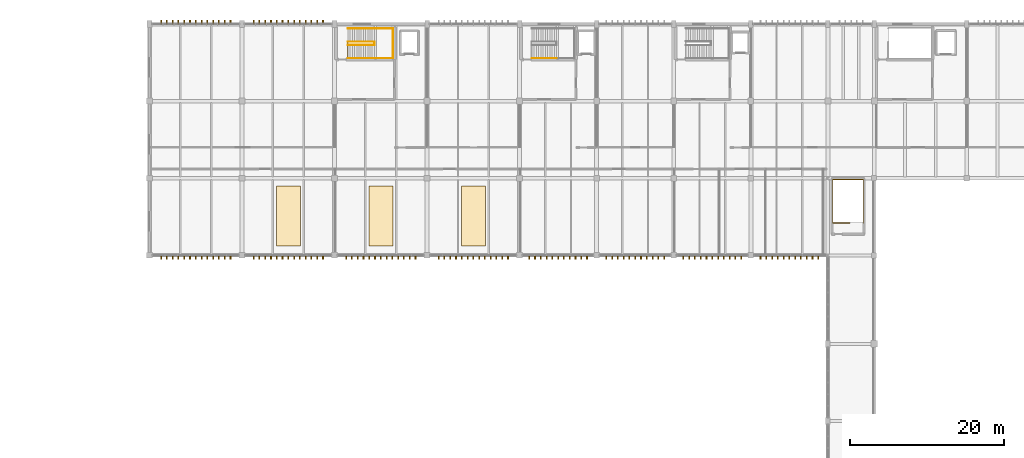
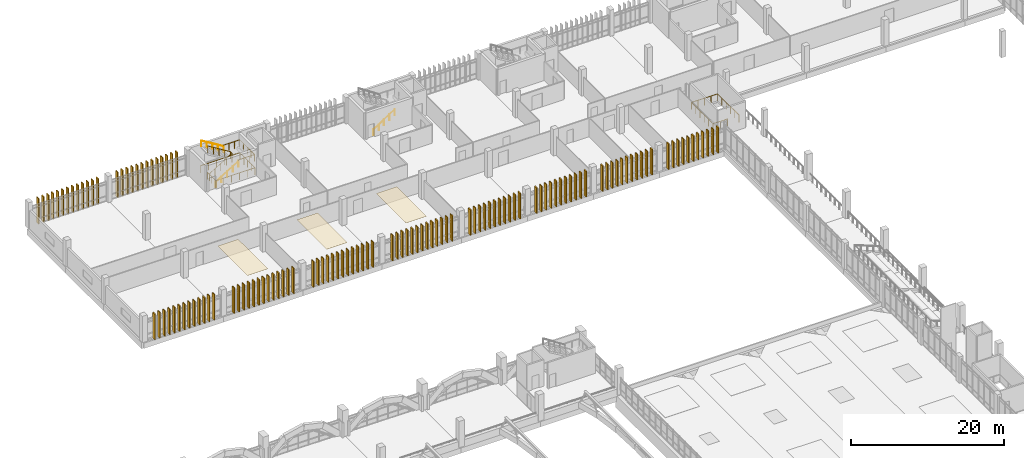
# One storey, part 158 of 161: 122 shading devices, 7 railings, 3 coverings.
"""IFC4 building model written with IfcOpenShell, lengths in metres."""

from ifc_helpers import new_model, si_unit, direction, frame, origin, origin_2d, place, context, subcontext, project, spatial, polyline, rectangle, circle, outline, extrude, material, layer, layer_set, type_object, element, save


model = new_model("IFC4")

# Units and contexts
model_context = context("Model", 3, precision=1e-05, world=origin(), true_north=direction((0.0, 1.0)))
body_context = subcontext(model_context, "Body", "Model", "MODEL_VIEW")
ifc_project = project(units=[si_unit("LENGTHUNIT", "METRE"), si_unit("AREAUNIT", "SQUARE_METRE"), si_unit("VOLUMEUNIT", "CUBIC_METRE"), si_unit("PLANEANGLEUNIT", "RADIAN"), si_unit("MASSUNIT", "GRAM", prefix="KILO")], contexts=[model_context])

# Site, building, storey
site_placement = place(None, origin())
site = spatial("IfcSite", under=ifc_project, at=site_placement, CompositionType="ELEMENT")
building_placement = place(site_placement, origin())
building = spatial("IfcBuilding", under=site, at=building_placement, Name="Mersad Railyard Sports Hall", CompositionType="ELEMENT")
storey_placement = place(building_placement, frame((0.0, 0.0, 4.800048828125)))
storey = spatial("IfcBuildingStorey", under=building, at=storey_placement, Name="L01", CompositionType="ELEMENT", Elevation=4.800048828125)

# Coverings
ifc_material_1 = material(Name="Gypsum plasterboard", Category="gypsum")
ifc_layer = layer(ifc_material_1, 0.02490234375)
ifc_layer_set = layer_set([ifc_layer], Name="Gypsum plasterboard")
covering_type = type_object("IfcCoveringType", Name="ARC-CV-CL01", PredefinedType="CEILING", material=ifc_layer_set)
covering_1_placement = place(storey_placement, frame((0.0, 0.0, 3.875)))
element("IfcCovering", 1, at=covering_1_placement, inside=storey, type_object=covering_type, Name="Acoustic ceiling panel 004", PredefinedType="CEILING", context=body_context, shape_type="SweptSolid", body=[
    extrude(outline(polyline([(59.449951171875, 86.199951171875), (62.550048828125, 86.199951171875), (62.550048828125, 94.0), (59.449951171875, 94.0), (59.449951171875, 86.199951171875)])), origin(), (0.0, 0.0, 1.0), 0.02490234375),
])
covering_2_placement = place(storey_placement, frame((0.0, 0.0, 3.875)))
element("IfcCovering", 2, at=covering_2_placement, inside=storey, type_object=covering_type, Name="Acoustic ceiling panel 005", PredefinedType="CEILING", context=body_context, shape_type="SweptSolid", body=[
    extrude(outline(polyline([(71.449951171875, 86.199951171875), (74.550048828125, 86.199951171875), (74.550048828125, 94.0), (71.449951171875, 94.0), (71.449951171875, 86.199951171875)])), origin(), (0.0, 0.0, 1.0), 0.02490234375),
])
covering_3_placement = place(storey_placement, frame((0.0, 0.0, 3.875)))
element("IfcCovering", 3, at=covering_3_placement, inside=storey, type_object=covering_type, Name="Acoustic ceiling panel 006", PredefinedType="CEILING", context=body_context, shape_type="SweptSolid", body=[
    extrude(outline(polyline([(83.449951171875, 86.199951171875), (86.550048828125, 86.199951171875), (86.550048828125, 94.0), (83.449951171875, 94.0), (83.449951171875, 86.199951171875)])), origin(), (0.0, 0.0, 1.0), 0.02490234375),
])

# Railings
ifc_material_2 = material(Name="Steel S355", Category="steel")
railing_type_1 = type_object("IfcRailingType", Name="ARC-RL-GR01", PredefinedType="GUARDRAIL", material=ifc_material_2)
railing_1_placement = place(storey_placement, frame((68.7099609375, 112.68994140625, 0.0)))
element("IfcRailing", 4, at=railing_1_placement, inside=storey, type_object=railing_type_1, Name="Interior guard GR01-0010", PredefinedType="GUARDRAIL", context=body_context, shape_type="SweptSolid", body=[
    extrude(circle(Radius=0.02392578125, at=origin_2d()), frame((0.0, 0.0, 1.09619140625), z_axis=(0.0, -1.0, 0.0), x_axis=(1.0, 0.0, 0.0)), (0.0, 0.0, 1.0), 2.169921875),
    extrude(circle(Radius=0.02392578125, at=origin_2d()), frame((0.0, -2.169921875, 1.09619140625), z_axis=(1.0, 0.0, 0.0), x_axis=(0.0, 1.0, 0.0)), (0.0, 0.0, 1.0), 5.919921875),
    extrude(circle(Radius=0.02392578125, at=origin_2d()), frame((5.919921875, -2.169921875, 1.09619140625), z_axis=(0.0, 1.0, 0.0), x_axis=(-1.0, 0.0, 0.0)), (0.0, 0.0, 1.0), 3.9599609375),
    extrude(circle(Radius=0.02392578125, at=origin_2d()), frame((5.919921875, 1.7900390625, 1.09619140625), z_axis=(-1.0, 0.0, 0.0), x_axis=(0.0, -1.0, 0.0)), (0.0, 0.0, 1.0), 5.919921875),
    extrude(circle(Radius=0.02099609375, at=origin_2d()), origin(), (0.0, 0.0, 1.0), 1.072021484375),
    extrude(circle(Radius=0.02099609375, at=origin_2d()), frame((0.0, -1.0849609375, 0.0)), (0.0, 0.0, 1.0), 1.072021484375),
    extrude(circle(Radius=0.02099609375, at=origin_2d()), frame((0.0, -2.169921875, 0.0)), (0.0, 0.0, 1.0), 1.072021484375),
    extrude(circle(Radius=0.02099609375, at=origin_2d()), frame((1.18408203125, -2.169921875, 0.0)), (0.0, 0.0, 1.0), 1.072021484375),
    extrude(circle(Radius=0.02099609375, at=origin_2d()), frame((2.367919921875, -2.169921875, 0.0)), (0.0, 0.0, 1.0), 1.072021484375),
    extrude(circle(Radius=0.02099609375, at=origin_2d()), frame((3.552001953125, -2.169921875, 0.0)), (0.0, 0.0, 1.0), 1.072021484375),
    extrude(circle(Radius=0.02099609375, at=origin_2d()), frame((4.73583984375, -2.169921875, 0.0)), (0.0, 0.0, 1.0), 1.072021484375),
    extrude(circle(Radius=0.02099609375, at=origin_2d()), frame((5.919921875, -2.169921875, 0.0)), (0.0, 0.0, 1.0), 1.072021484375),
    extrude(circle(Radius=0.02099609375, at=origin_2d()), frame((5.919921875, -1.179931640625, 0.0)), (0.0, 0.0, 1.0), 1.072021484375),
    extrude(circle(Radius=0.02099609375, at=origin_2d()), frame((5.919921875, -0.18994140625, 0.0)), (0.0, 0.0, 1.0), 1.072021484375),
    extrude(circle(Radius=0.02099609375, at=origin_2d()), frame((5.919921875, 0.800048828125, 0.0)), (0.0, 0.0, 1.0), 1.072021484375),
    extrude(circle(Radius=0.02099609375, at=origin_2d()), frame((5.919921875, 1.7900390625, 0.0)), (0.0, 0.0, 1.0), 1.072021484375),
    extrude(circle(Radius=0.02099609375, at=origin_2d()), frame((4.73583984375, 1.7900390625, 0.0)), (0.0, 0.0, 1.0), 1.072021484375),
    extrude(circle(Radius=0.02099609375, at=origin_2d()), frame((3.552001953125, 1.7900390625, 0.0)), (0.0, 0.0, 1.0), 1.072021484375),
    extrude(circle(Radius=0.02099609375, at=origin_2d()), frame((2.367919921875, 1.7900390625, 0.0)), (0.0, 0.0, 1.0), 1.072021484375),
    extrude(circle(Radius=0.02099609375, at=origin_2d()), frame((1.18408203125, 1.7900390625, 0.0)), (0.0, 0.0, 1.0), 1.072021484375),
    extrude(circle(Radius=0.02099609375, at=origin_2d()), frame((0.0, 1.7900390625, 0.0)), (0.0, 0.0, 1.0), 1.072021484375),
])
railing_2_placement = place(storey_placement, frame((68.75, 112.2900390625, 0.0)))
element("IfcRailing", 5, at=railing_2_placement, inside=storey, type_object=railing_type_1, Name="Interior guard GR01-0013", PredefinedType="GUARDRAIL", context=body_context, shape_type="SweptSolid", body=[
    extrude(circle(Radius=0.02392578125, at=origin_2d()), frame((0.0, 0.0, 1.09619140625), z_axis=(0.852182171552, 0.0, 0.523245206847), x_axis=(0.0, 1.0, 0.0)), (0.0, 0.0, 1.0), 4.01318359375),
    extrude(circle(Radius=0.02392578125, at=origin_2d()), frame((3.419921875, 0.0, 3.19580078125), z_axis=(0.0, 1.0, 0.0), x_axis=(-1.0, 0.0, 0.0)), (0.0, 0.0, 1.0), 0.419921875),
    extrude(circle(Radius=0.02392578125, at=origin_2d()), frame((3.419921875, 0.419921875, 3.19580078125), z_axis=(-0.852155044755, 0.0, 0.523289384279), x_axis=(0.0, -1.0, 0.0)), (0.0, 0.0, 1.0), 4.01318359375),
    extrude(circle(Radius=0.02099609375, at=origin_2d()), origin(), (0.0, 0.0, 1.0), 1.072021484375),
    extrude(circle(Radius=0.02099609375, at=origin_2d()), frame((0.85498046875, 0.0, 0.52490234375)), (0.0, 0.0, 1.0), 1.072021484375),
    extrude(circle(Radius=0.02099609375, at=origin_2d()), frame((1.7099609375, 0.0, 1.0498046875)), (0.0, 0.0, 1.0), 1.072021484375),
    extrude(circle(Radius=0.02099609375, at=origin_2d()), frame((2.56494140625, 0.0, 1.574951171875)), (0.0, 0.0, 1.0), 1.072021484375),
    extrude(circle(Radius=0.02099609375, at=origin_2d()), frame((3.419921875, 0.0, 2.099853515625)), (0.0, 0.0, 1.0), 1.072021484375),
    extrude(circle(Radius=0.02099609375, at=origin_2d()), frame((3.419921875, 0.419921875, 2.099853515625)), (0.0, 0.0, 1.0), 1.072021484375),
    extrude(circle(Radius=0.02099609375, at=origin_2d()), frame((2.56494140625, 0.419921875, 2.625)), (0.0, 0.0, 1.0), 1.072021484375),
    extrude(circle(Radius=0.02099609375, at=origin_2d()), frame((1.7099609375, 0.419921875, 3.14990234375)), (0.0, 0.0, 1.0), 1.072021484375),
    extrude(circle(Radius=0.02099609375, at=origin_2d()), frame((0.85498046875, 0.419921875, 3.6748046875)), (0.0, 0.0, 1.0), 1.072021484375),
    extrude(circle(Radius=0.02099609375, at=origin_2d()), frame((0.0, 0.419921875, 4.199951171875)), (0.0, 0.0, 1.0), 1.072021484375),
])
railing_3_placement = place(storey_placement, frame((72.169921875, 110.56005859375, 2.099853515625)))
element("IfcRailing", 6, at=railing_3_placement, inside=storey, type_object=railing_type_1, Name="Interior guard GR01-0014", PredefinedType="GUARDRAIL", context=body_context, shape_type="SweptSolid", body=[
    extrude(circle(Radius=0.02392578125, at=origin_2d()), frame((0.0, 0.0, 1.09619140625), z_axis=(1.0, 0.0, 0.0), x_axis=(0.0, 1.0, 0.0)), (0.0, 0.0, 1.0), 2.420166015625),
    extrude(circle(Radius=0.02392578125, at=origin_2d()), frame((2.420166015625, 0.0, 1.09619140625), z_axis=(0.0, 1.0, 0.0), x_axis=(-1.0, 0.0, 0.0)), (0.0, 0.0, 1.0), 3.8798828125),
    extrude(circle(Radius=0.02392578125, at=origin_2d()), frame((2.420166015625, 3.8798828125, 1.09619140625), z_axis=(-1.0, 0.0, 0.0), x_axis=(0.0, -1.0, 0.0)), (0.0, 0.0, 1.0), 2.420166015625),
    extrude(circle(Radius=0.02099609375, at=origin_2d()), origin(), (0.0, 0.0, 1.0), 1.072021484375),
    extrude(circle(Radius=0.02099609375, at=origin_2d()), frame((0.806640625, 0.0, 0.0)), (0.0, 0.0, 1.0), 1.072021484375),
    extrude(circle(Radius=0.02099609375, at=origin_2d()), frame((1.613525390625, 0.0, 0.0)), (0.0, 0.0, 1.0), 1.072021484375),
    extrude(circle(Radius=0.02099609375, at=origin_2d()), frame((2.420166015625, 0.0, 0.0)), (0.0, 0.0, 1.0), 1.072021484375),
    extrude(circle(Radius=0.02099609375, at=origin_2d()), frame((2.420166015625, 0.969970703125, 0.0)), (0.0, 0.0, 1.0), 1.072021484375),
    extrude(circle(Radius=0.02099609375, at=origin_2d()), frame((2.420166015625, 1.93994140625, 0.0)), (0.0, 0.0, 1.0), 1.072021484375),
    extrude(circle(Radius=0.02099609375, at=origin_2d()), frame((2.420166015625, 2.909912109375, 0.0)), (0.0, 0.0, 1.0), 1.072021484375),
    extrude(circle(Radius=0.02099609375, at=origin_2d()), frame((2.420166015625, 3.8798828125, 0.0)), (0.0, 0.0, 1.0), 1.072021484375),
    extrude(circle(Radius=0.02099609375, at=origin_2d()), frame((1.613525390625, 3.8798828125, 0.0)), (0.0, 0.0, 1.0), 1.072021484375),
    extrude(circle(Radius=0.02099609375, at=origin_2d()), frame((0.806640625, 3.8798828125, 0.0)), (0.0, 0.0, 1.0), 1.072021484375),
    extrude(circle(Radius=0.02099609375, at=origin_2d()), frame((0.0, 3.8798828125, 0.0)), (0.0, 0.0, 1.0), 1.072021484375),
])
railing_4_placement = place(storey_placement, frame((133.830078125, 89.2099609375, 0.0)))
element("IfcRailing", 7, at=railing_4_placement, inside=storey, type_object=railing_type_1, Name="Interior guard GR01-0155", PredefinedType="GUARDRAIL", context=body_context, shape_type="SweptSolid", body=[
    extrude(circle(Radius=0.02392578125, at=origin_2d()), frame((0.0, 0.0, 1.09619140625), z_axis=(-1.0, 0.0, 0.0), x_axis=(0.0, -1.0, 0.0)), (0.0, 0.0, 1.0), 2.2099609375),
    extrude(circle(Radius=0.02392578125, at=origin_2d()), frame((-2.2099609375, 0.0, 1.09619140625), z_axis=(0.0, 1.0, 0.0), x_axis=(-1.0, 0.0, 0.0)), (0.0, 0.0, 1.0), 5.6201171875),
    extrude(circle(Radius=0.02392578125, at=origin_2d()), frame((-2.2099609375, 5.6201171875, 1.09619140625), z_axis=(1.0, 0.0, 0.0), x_axis=(0.0, 1.0, 0.0)), (0.0, 0.0, 1.0), 3.9599609375),
    extrude(circle(Radius=0.02392578125, at=origin_2d()), frame((1.75, 5.6201171875, 1.09619140625), z_axis=(0.0, -1.0, 0.0), x_axis=(1.0, 0.0, 0.0)), (0.0, 0.0, 1.0), 5.6201171875),
    extrude(circle(Radius=0.02099609375, at=origin_2d()), origin(), (0.0, 0.0, 1.0), 1.072021484375),
    extrude(circle(Radius=0.02099609375, at=origin_2d()), frame((-1.10498046875, 0.0, 0.0)), (0.0, 0.0, 1.0), 1.072021484375),
    extrude(circle(Radius=0.02099609375, at=origin_2d()), frame((-2.2099609375, 0.0, 0.0)), (0.0, 0.0, 1.0), 1.072021484375),
    extrude(circle(Radius=0.02099609375, at=origin_2d()), frame((-2.2099609375, 1.1240234375, 0.0)), (0.0, 0.0, 1.0), 1.072021484375),
    extrude(circle(Radius=0.02099609375, at=origin_2d()), frame((-2.2099609375, 2.248046875, 0.0)), (0.0, 0.0, 1.0), 1.072021484375),
    extrude(circle(Radius=0.02099609375, at=origin_2d()), frame((-2.2099609375, 3.3720703125, 0.0)), (0.0, 0.0, 1.0), 1.072021484375),
    extrude(circle(Radius=0.02099609375, at=origin_2d()), frame((-2.2099609375, 4.49609375, 0.0)), (0.0, 0.0, 1.0), 1.072021484375),
    extrude(circle(Radius=0.02099609375, at=origin_2d()), frame((-2.2099609375, 5.6201171875, 0.0)), (0.0, 0.0, 1.0), 1.072021484375),
    extrude(circle(Radius=0.02099609375, at=origin_2d()), frame((-1.219970703125, 5.6201171875, 0.0)), (0.0, 0.0, 1.0), 1.072021484375),
    extrude(circle(Radius=0.02099609375, at=origin_2d()), frame((-0.22998046875, 5.6201171875, 0.0)), (0.0, 0.0, 1.0), 1.072021484375),
    extrude(circle(Radius=0.02099609375, at=origin_2d()), frame((0.760009765625, 5.6201171875, 0.0)), (0.0, 0.0, 1.0), 1.072021484375),
    extrude(circle(Radius=0.02099609375, at=origin_2d()), frame((1.75, 5.6201171875, 0.0)), (0.0, 0.0, 1.0), 1.072021484375),
    extrude(circle(Radius=0.02099609375, at=origin_2d()), frame((1.75, 4.49609375, 0.0)), (0.0, 0.0, 1.0), 1.072021484375),
    extrude(circle(Radius=0.02099609375, at=origin_2d()), frame((1.75, 3.3720703125, 0.0)), (0.0, 0.0, 1.0), 1.072021484375),
    extrude(circle(Radius=0.02099609375, at=origin_2d()), frame((1.75, 2.248046875, 0.0)), (0.0, 0.0, 1.0), 1.072021484375),
    extrude(circle(Radius=0.02099609375, at=origin_2d()), frame((1.75, 1.1240234375, 0.0)), (0.0, 0.0, 1.0), 1.072021484375),
    extrude(circle(Radius=0.02099609375, at=origin_2d()), frame((1.75, 0.0, 0.0)), (0.0, 0.0, 1.0), 1.072021484375),
])
railing_type_2 = type_object("IfcRailingType", Name="ARC-RL-HR01", PredefinedType="HANDRAIL", material=ifc_material_2)
railing_5_placement = place(storey_placement, frame((68.75, 110.56005859375, 0.0)))
element("IfcRailing", 8, at=railing_5_placement, inside=storey, type_object=railing_type_2, Name="Interior handrail HR01-0011", PredefinedType="HANDRAIL", context=body_context, shape_type="SweptSolid", body=[
    extrude(circle(Radius=0.02392578125, at=origin_2d()), frame((0.0, 0.0, 0.89599609375), z_axis=(0.852182171552, 0.0, 0.523245206847), x_axis=(0.0, 1.0, 0.0)), (0.0, 0.0, 1.0), 4.01318359375),
    extrude(circle(Radius=0.02099609375, at=origin_2d()), origin(), (0.0, 0.0, 1.0), 0.871826171875),
    extrude(circle(Radius=0.02099609375, at=origin_2d()), frame((0.85498046875, 0.0, 0.52490234375)), (0.0, 0.0, 1.0), 0.871826171875),
    extrude(circle(Radius=0.02099609375, at=origin_2d()), frame((1.7099609375, 0.0, 1.0498046875)), (0.0, 0.0, 1.0), 0.871826171875),
    extrude(circle(Radius=0.02099609375, at=origin_2d()), frame((2.56494140625, 0.0, 1.574951171875)), (0.0, 0.0, 1.0), 0.871826171875),
    extrude(circle(Radius=0.02099609375, at=origin_2d()), frame((3.419921875, 0.0, 2.099853515625)), (0.0, 0.0, 1.0), 0.871826171875),
])
railing_6_placement = place(storey_placement, frame((72.169921875, 114.43994140625, 2.099853515625)))
element("IfcRailing", 9, at=railing_6_placement, inside=storey, type_object=railing_type_2, Name="Interior handrail HR01-0012", PredefinedType="HANDRAIL", context=body_context, shape_type="SweptSolid", body=[
    extrude(circle(Radius=0.02392578125, at=origin_2d()), frame((0.0, 0.0, 0.89599609375), z_axis=(-0.852155044755, 0.0, 0.523289384279), x_axis=(0.0, -1.0, 0.0)), (0.0, 0.0, 1.0), 4.01318359375),
    extrude(circle(Radius=0.02099609375, at=origin_2d()), origin(), (0.0, 0.0, 1.0), 0.871826171875),
    extrude(circle(Radius=0.02099609375, at=origin_2d()), frame((-0.85498046875, 0.0, 0.52490234375)), (0.0, 0.0, 1.0), 0.871826171875),
    extrude(circle(Radius=0.02099609375, at=origin_2d()), frame((-1.7099609375, 0.0, 1.050048828125)), (0.0, 0.0, 1.0), 0.871826171875),
    extrude(circle(Radius=0.02099609375, at=origin_2d()), frame((-2.56494140625, 0.0, 1.5751953125)), (0.0, 0.0, 1.0), 0.871826171875),
    extrude(circle(Radius=0.02099609375, at=origin_2d()), frame((-3.419921875, 0.0, 2.10009765625)), (0.0, 0.0, 1.0), 0.871826171875),
])
railing_7_placement = place(storey_placement, frame((92.60009765625, 110.56005859375, 0.0)))
element("IfcRailing", 10, at=railing_7_placement, inside=storey, type_object=railing_type_2, Name="Interior handrail HR01-0041", PredefinedType="HANDRAIL", context=body_context, shape_type="SweptSolid", body=[
    extrude(circle(Radius=0.02392578125, at=origin_2d()), frame((0.0, 0.0, 0.89599609375), z_axis=(0.835271834381, 0.0, 0.549837214719), x_axis=(0.0, 1.0, 0.0)), (0.0, 0.0, 1.0), 3.819091796875),
    extrude(circle(Radius=0.02099609375, at=origin_2d()), origin(), (0.0, 0.0, 1.0), 0.871826171875),
    extrude(circle(Radius=0.02099609375, at=origin_2d()), frame((0.79736328125, 0.0, 0.52490234375)), (0.0, 0.0, 1.0), 0.871826171875),
    extrude(circle(Radius=0.02099609375, at=origin_2d()), frame((1.594970703125, 0.0, 1.0498046875)), (0.0, 0.0, 1.0), 0.871826171875),
    extrude(circle(Radius=0.02099609375, at=origin_2d()), frame((2.392578125, 0.0, 1.574951171875)), (0.0, 0.0, 1.0), 0.871826171875),
    extrude(circle(Radius=0.02099609375, at=origin_2d()), frame((3.18994140625, 0.0, 2.099853515625)), (0.0, 0.0, 1.0), 0.871826171875),
])

# Shading devices
ifc_material_3 = material(Name="Precast concrete C45/55", Category="concrete")
shading_device_type = type_object("IfcShadingDeviceType", Name="ARC-SH-FN01", PredefinedType="USERDEFINED", material=ifc_material_3)
for number, where, z_axis, x_axis, name in (
    (11, (44.5, 115.25, -0.10009765625), (0.0, 0.0, 1.0), (1.0, 0.0, 0.0), "Precast sun fin FN01-0131"),
    (12, (45.25, 115.25, -0.10009765625), (0.0, 0.0, 1.0), (1.0, 0.0, 0.0), "Precast sun fin FN01-0132"),
    (13, (46.0, 115.25, -0.10009765625), (0.0, 0.0, 1.0), (1.0, 0.0, 0.0), "Precast sun fin FN01-0133"),
    (14, (46.75, 115.25, -0.10009765625), (0.0, 0.0, 1.0), (1.0, 0.0, 0.0), "Precast sun fin FN01-0134"),
    (15, (47.5, 115.25, -0.10009765625), (0.0, 0.0, 1.0), (1.0, 0.0, 0.0), "Precast sun fin FN01-0135"),
    (16, (48.25, 115.25, -0.10009765625), (0.0, 0.0, 1.0), (1.0, 0.0, 0.0), "Precast sun fin FN01-0136"),
    (17, (49.0, 115.25, -0.10009765625), (0.0, 0.0, 1.0), (1.0, 0.0, 0.0), "Precast sun fin FN01-0137"),
    (18, (49.75, 115.25, -0.10009765625), (0.0, 0.0, 1.0), (1.0, 0.0, 0.0), "Precast sun fin FN01-0138"),
    (19, (50.5, 115.25, -0.10009765625), (0.0, 0.0, 1.0), (1.0, 0.0, 0.0), "Precast sun fin FN01-0139"),
    (20, (51.25, 115.25, -0.10009765625), (0.0, 0.0, 1.0), (1.0, 0.0, 0.0), "Precast sun fin FN01-0140"),
    (21, (52.0, 115.25, -0.10009765625), (0.0, 0.0, 1.0), (1.0, 0.0, 0.0), "Precast sun fin FN01-0141"),
    (22, (52.75, 115.25, -0.10009765625), (0.0, 0.0, 1.0), (1.0, 0.0, 0.0), "Precast sun fin FN01-0142"),
    (23, (53.5, 115.25, -0.10009765625), (0.0, 0.0, 1.0), (1.0, 0.0, 0.0), "Precast sun fin FN01-0143"),
    (24, (56.5, 115.25, -0.10009765625), (0.0, 0.0, 1.0), (1.0, 0.0, 0.0), "Precast sun fin FN01-0144"),
    (25, (57.25, 115.25, -0.10009765625), (0.0, 0.0, 1.0), (1.0, 0.0, 0.0), "Precast sun fin FN01-0145"),
    (26, (58.0, 115.25, -0.10009765625), (0.0, 0.0, 1.0), (1.0, 0.0, 0.0), "Precast sun fin FN01-0146"),
    (27, (58.75, 115.25, -0.10009765625), (0.0, 0.0, 1.0), (1.0, 0.0, 0.0), "Precast sun fin FN01-0147"),
    (28, (59.5, 115.25, -0.10009765625), (0.0, 0.0, 1.0), (1.0, 0.0, 0.0), "Precast sun fin FN01-0148"),
    (29, (60.25, 115.25, -0.10009765625), (0.0, 0.0, 1.0), (1.0, 0.0, 0.0), "Precast sun fin FN01-0149"),
    (30, (61.0, 115.25, -0.10009765625), (0.0, 0.0, 1.0), (1.0, 0.0, 0.0), "Precast sun fin FN01-0150"),
    (31, (61.75, 115.25, -0.10009765625), (0.0, 0.0, 1.0), (1.0, 0.0, 0.0), "Precast sun fin FN01-0151"),
    (32, (62.5, 115.25, -0.10009765625), (0.0, 0.0, 1.0), (1.0, 0.0, 0.0), "Precast sun fin FN01-0152"),
    (33, (63.25, 115.25, -0.10009765625), (0.0, 0.0, 1.0), (1.0, 0.0, 0.0), "Precast sun fin FN01-0153"),
    (34, (64.0, 115.25, -0.10009765625), (0.0, 0.0, 1.0), (1.0, 0.0, 0.0), "Precast sun fin FN01-0154"),
    (35, (64.75, 115.25, -0.10009765625), (0.0, 0.0, 1.0), (1.0, 0.0, 0.0), "Precast sun fin FN01-0155"),
    (36, (65.5, 115.25, -0.10009765625), (0.0, 0.0, 1.0), (1.0, 0.0, 0.0), "Precast sun fin FN01-0156"),
    (37, (44.5, 84.75, -0.10009765625), (0.0, 0.0, 1.0), (1.0, 0.0, 0.0), "Precast sun fin FN01-0228"),
    (38, (45.25, 84.75, -0.10009765625), (0.0, 0.0, 1.0), (1.0, 0.0, 0.0), "Precast sun fin FN01-0229"),
    (39, (46.0, 84.75, -0.10009765625), (0.0, 0.0, 1.0), (1.0, 0.0, 0.0), "Precast sun fin FN01-0230"),
    (40, (46.75, 84.75, -0.10009765625), (0.0, 0.0, 1.0), (1.0, 0.0, 0.0), "Precast sun fin FN01-0231"),
    (41, (47.5, 84.75, -0.10009765625), (0.0, 0.0, 1.0), (1.0, 0.0, 0.0), "Precast sun fin FN01-0232"),
    (42, (48.25, 84.75, -0.10009765625), (0.0, 0.0, 1.0), (1.0, 0.0, 0.0), "Precast sun fin FN01-0233"),
    (43, (49.0, 84.75, -0.10009765625), (0.0, 0.0, 1.0), (1.0, 0.0, 0.0), "Precast sun fin FN01-0234"),
    (44, (49.75, 84.75, -0.10009765625), (0.0, 0.0, 1.0), (1.0, 0.0, 0.0), "Precast sun fin FN01-0235"),
    (45, (50.5, 84.75, -0.10009765625), (0.0, 0.0, 1.0), (1.0, 0.0, 0.0), "Precast sun fin FN01-0236"),
    (46, (51.25, 84.75, -0.10009765625), (0.0, 0.0, 1.0), (1.0, 0.0, 0.0), "Precast sun fin FN01-0237"),
    (47, (52.0, 84.75, -0.10009765625), (0.0, 0.0, 1.0), (1.0, 0.0, 0.0), "Precast sun fin FN01-0238"),
    (48, (52.75, 84.75, -0.10009765625), (0.0, 0.0, 1.0), (1.0, 0.0, 0.0), "Precast sun fin FN01-0239"),
    (49, (53.5, 84.75, -0.10009765625), (0.0, 0.0, 1.0), (1.0, 0.0, 0.0), "Precast sun fin FN01-0240"),
    (50, (56.5, 84.75, -0.10009765625), (0.0, 0.0, 1.0), (1.0, 0.0, 0.0), "Precast sun fin FN01-0241"),
    (51, (57.25, 84.75, -0.10009765625), (0.0, 0.0, 1.0), (1.0, 0.0, 0.0), "Precast sun fin FN01-0242"),
    (52, (58.0, 84.75, -0.10009765625), (0.0, 0.0, 1.0), (1.0, 0.0, 0.0), "Precast sun fin FN01-0243"),
    (53, (58.75, 84.75, -0.10009765625), (0.0, 0.0, 1.0), (1.0, 0.0, 0.0), "Precast sun fin FN01-0244"),
    (54, (59.5, 84.75, -0.10009765625), (0.0, 0.0, 1.0), (1.0, 0.0, 0.0), "Precast sun fin FN01-0245"),
    (55, (60.25, 84.75, -0.10009765625), (0.0, 0.0, 1.0), (1.0, 0.0, 0.0), "Precast sun fin FN01-0246"),
    (56, (61.0, 84.75, -0.10009765625), (0.0, 0.0, 1.0), (1.0, 0.0, 0.0), "Precast sun fin FN01-0247"),
    (57, (61.75, 84.75, -0.10009765625), (0.0, 0.0, 1.0), (1.0, 0.0, 0.0), "Precast sun fin FN01-0248"),
    (58, (62.5, 84.75, -0.10009765625), (0.0, 0.0, 1.0), (1.0, 0.0, 0.0), "Precast sun fin FN01-0249"),
    (59, (63.25, 84.75, -0.10009765625), (0.0, 0.0, 1.0), (1.0, 0.0, 0.0), "Precast sun fin FN01-0250"),
    (60, (64.0, 84.75, -0.10009765625), (0.0, 0.0, 1.0), (1.0, 0.0, 0.0), "Precast sun fin FN01-0251"),
    (61, (64.75, 84.75, -0.10009765625), (0.0, 0.0, 1.0), (1.0, 0.0, 0.0), "Precast sun fin FN01-0252"),
    (62, (65.5, 84.75, -0.10009765625), (0.0, 0.0, 1.0), (1.0, 0.0, 0.0), "Precast sun fin FN01-0253"),
    (63, (68.5, 84.75, -0.10009765625), (0.0, 0.0, 1.0), (1.0, 0.0, 0.0), "Precast sun fin FN01-0254"),
    (64, (69.25, 84.75, -0.10009765625), (0.0, 0.0, 1.0), (1.0, 0.0, 0.0), "Precast sun fin FN01-0255"),
    (65, (70.0, 84.75, -0.10009765625), (0.0, 0.0, 1.0), (1.0, 0.0, 0.0), "Precast sun fin FN01-0256"),
    (66, (70.75, 84.75, -0.10009765625), (0.0, 0.0, 1.0), (1.0, 0.0, 0.0), "Precast sun fin FN01-0257"),
    (67, (71.5, 84.75, -0.10009765625), (0.0, 0.0, 1.0), (1.0, 0.0, 0.0), "Precast sun fin FN01-0258"),
    (68, (72.25, 84.75, -0.10009765625), (0.0, 0.0, 1.0), (1.0, 0.0, 0.0), "Precast sun fin FN01-0259"),
    (69, (73.0, 84.75, -0.10009765625), (0.0, 0.0, 1.0), (1.0, 0.0, 0.0), "Precast sun fin FN01-0260"),
    (70, (73.75, 84.75, -0.10009765625), (0.0, 0.0, 1.0), (1.0, 0.0, 0.0), "Precast sun fin FN01-0261"),
    (71, (74.5, 84.75, -0.10009765625), (0.0, 0.0, 1.0), (1.0, 0.0, 0.0), "Precast sun fin FN01-0262"),
    (72, (75.25, 84.75, -0.10009765625), (0.0, 0.0, 1.0), (1.0, 0.0, 0.0), "Precast sun fin FN01-0263"),
    (73, (76.0, 84.75, -0.10009765625), (0.0, 0.0, 1.0), (1.0, 0.0, 0.0), "Precast sun fin FN01-0264"),
    (74, (76.75, 84.75, -0.10009765625), (0.0, 0.0, 1.0), (1.0, 0.0, 0.0), "Precast sun fin FN01-0265"),
    (75, (77.5, 84.75, -0.10009765625), (0.0, 0.0, 1.0), (1.0, 0.0, 0.0), "Precast sun fin FN01-0266"),
    (76, (80.5, 84.75, -0.10009765625), (0.0, 0.0, 1.0), (1.0, 0.0, 0.0), "Precast sun fin FN01-0267"),
    (77, (81.25, 84.75, -0.10009765625), (0.0, 0.0, 1.0), (1.0, 0.0, 0.0), "Precast sun fin FN01-0268"),
    (78, (82.0, 84.75, -0.10009765625), (0.0, 0.0, 1.0), (1.0, 0.0, 0.0), "Precast sun fin FN01-0269"),
    (79, (82.75, 84.75, -0.10009765625), (0.0, 0.0, 1.0), (1.0, 0.0, 0.0), "Precast sun fin FN01-0270"),
    (80, (83.5, 84.75, -0.10009765625), (0.0, 0.0, 1.0), (1.0, 0.0, 0.0), "Precast sun fin FN01-0271"),
    (81, (84.25, 84.75, -0.10009765625), (0.0, 0.0, 1.0), (1.0, 0.0, 0.0), "Precast sun fin FN01-0272"),
    (82, (85.0, 84.75, -0.10009765625), (0.0, 0.0, 1.0), (1.0, 0.0, 0.0), "Precast sun fin FN01-0273"),
    (83, (85.75, 84.75, -0.10009765625), (0.0, 0.0, 1.0), (1.0, 0.0, 0.0), "Precast sun fin FN01-0274"),
    (84, (86.5, 84.75, -0.10009765625), (0.0, 0.0, 1.0), (1.0, 0.0, 0.0), "Precast sun fin FN01-0275"),
    (85, (87.25, 84.75, -0.10009765625), (0.0, 0.0, 1.0), (1.0, 0.0, 0.0), "Precast sun fin FN01-0276"),
    (86, (88.0, 84.75, -0.10009765625), (0.0, 0.0, 1.0), (1.0, 0.0, 0.0), "Precast sun fin FN01-0277"),
    (87, (88.75, 84.75, -0.10009765625), (0.0, 0.0, 1.0), (1.0, 0.0, 0.0), "Precast sun fin FN01-0278"),
    (88, (89.5, 84.75, -0.10009765625), (0.0, 0.0, 1.0), (1.0, 0.0, 0.0), "Precast sun fin FN01-0279"),
    (89, (92.25, 84.75, -0.10009765625), (0.0, 0.0, 1.0), (1.0, 0.0, 0.0), "Precast sun fin FN01-0280"),
    (90, (93.0, 84.75, -0.10009765625), (0.0, 0.0, 1.0), (1.0, 0.0, 0.0), "Precast sun fin FN01-0281"),
    (91, (93.75, 84.75, -0.10009765625), (0.0, 0.0, 1.0), (1.0, 0.0, 0.0), "Precast sun fin FN01-0282"),
    (92, (94.5, 84.75, -0.10009765625), (0.0, 0.0, 1.0), (1.0, 0.0, 0.0), "Precast sun fin FN01-0283"),
    (93, (95.25, 84.75, -0.10009765625), (0.0, 0.0, 1.0), (1.0, 0.0, 0.0), "Precast sun fin FN01-0284"),
    (94, (96.0, 84.75, -0.10009765625), (0.0, 0.0, 1.0), (1.0, 0.0, 0.0), "Precast sun fin FN01-0285"),
    (95, (96.75, 84.75, -0.10009765625), (0.0, 0.0, 1.0), (1.0, 0.0, 0.0), "Precast sun fin FN01-0286"),
    (96, (97.5, 84.75, -0.10009765625), (0.0, 0.0, 1.0), (1.0, 0.0, 0.0), "Precast sun fin FN01-0287"),
    (97, (98.25, 84.75, -0.10009765625), (0.0, 0.0, 1.0), (1.0, 0.0, 0.0), "Precast sun fin FN01-0288"),
    (98, (99.0, 84.75, -0.10009765625), (0.0, 0.0, 1.0), (1.0, 0.0, 0.0), "Precast sun fin FN01-0289"),
    (99, (99.75, 84.75, -0.10009765625), (0.0, 0.0, 1.0), (1.0, 0.0, 0.0), "Precast sun fin FN01-0290"),
    (100, (102.25, 84.75, -0.10009765625), (0.0, 0.0, 1.0), (1.0, 0.0, 0.0), "Precast sun fin FN01-0291"),
    (101, (103.0, 84.75, -0.10009765625), (0.0, 0.0, 1.0), (1.0, 0.0, 0.0), "Precast sun fin FN01-0292"),
    (102, (103.75, 84.75, -0.10009765625), (0.0, 0.0, 1.0), (1.0, 0.0, 0.0), "Precast sun fin FN01-0293"),
    (103, (104.5, 84.75, -0.10009765625), (0.0, 0.0, 1.0), (1.0, 0.0, 0.0), "Precast sun fin FN01-0294"),
    (104, (105.25, 84.75, -0.10009765625), (0.0, 0.0, 1.0), (1.0, 0.0, 0.0), "Precast sun fin FN01-0295"),
    (105, (106.0, 84.75, -0.10009765625), (0.0, 0.0, 1.0), (1.0, 0.0, 0.0), "Precast sun fin FN01-0296"),
    (106, (106.75, 84.75, -0.10009765625), (0.0, 0.0, 1.0), (1.0, 0.0, 0.0), "Precast sun fin FN01-0297"),
    (107, (107.5, 84.75, -0.10009765625), (0.0, 0.0, 1.0), (1.0, 0.0, 0.0), "Precast sun fin FN01-0298"),
    (108, (108.25, 84.75, -0.10009765625), (0.0, 0.0, 1.0), (1.0, 0.0, 0.0), "Precast sun fin FN01-0299"),
    (109, (109.0, 84.75, -0.10009765625), (0.0, 0.0, 1.0), (1.0, 0.0, 0.0), "Precast sun fin FN01-0300"),
    (110, (109.75, 84.75, -0.10009765625), (0.0, 0.0, 1.0), (1.0, 0.0, 0.0), "Precast sun fin FN01-0301"),
    (111, (112.25, 84.75, -0.10009765625), (0.0, 0.0, 1.0), (1.0, 0.0, 0.0), "Precast sun fin FN01-0302"),
    (112, (113.0, 84.75, -0.10009765625), (0.0, 0.0, 1.0), (1.0, 0.0, 0.0), "Precast sun fin FN01-0303"),
    (113, (113.75, 84.75, -0.10009765625), (0.0, 0.0, 1.0), (1.0, 0.0, 0.0), "Precast sun fin FN01-0304"),
    (114, (114.5, 84.75, -0.10009765625), (0.0, 0.0, 1.0), (1.0, 0.0, 0.0), "Precast sun fin FN01-0305"),
    (115, (115.25, 84.75, -0.10009765625), (0.0, 0.0, 1.0), (1.0, 0.0, 0.0), "Precast sun fin FN01-0306"),
    (116, (116.0, 84.75, -0.10009765625), (0.0, 0.0, 1.0), (1.0, 0.0, 0.0), "Precast sun fin FN01-0307"),
    (117, (116.75, 84.75, -0.10009765625), (0.0, 0.0, 1.0), (1.0, 0.0, 0.0), "Precast sun fin FN01-0308"),
    (118, (117.5, 84.75, -0.10009765625), (0.0, 0.0, 1.0), (1.0, 0.0, 0.0), "Precast sun fin FN01-0309"),
    (119, (118.25, 84.75, -0.10009765625), (0.0, 0.0, 1.0), (1.0, 0.0, 0.0), "Precast sun fin FN01-0310"),
    (120, (119.0, 84.75, -0.10009765625), (0.0, 0.0, 1.0), (1.0, 0.0, 0.0), "Precast sun fin FN01-0311"),
    (121, (119.75, 84.75, -0.10009765625), (0.0, 0.0, 1.0), (1.0, 0.0, 0.0), "Precast sun fin FN01-0312"),
    (122, (122.25, 84.75, -0.10009765625), (0.0, 0.0, 1.0), (1.0, 0.0, 0.0), "Precast sun fin FN01-0313"),
    (123, (123.0, 84.75, -0.10009765625), (0.0, 0.0, 1.0), (1.0, 0.0, 0.0), "Precast sun fin FN01-0314"),
    (124, (123.75, 84.75, -0.10009765625), (0.0, 0.0, 1.0), (1.0, 0.0, 0.0), "Precast sun fin FN01-0315"),
    (125, (124.5, 84.75, -0.10009765625), (0.0, 0.0, 1.0), (1.0, 0.0, 0.0), "Precast sun fin FN01-0316"),
    (126, (125.25, 84.75, -0.10009765625), (0.0, 0.0, 1.0), (1.0, 0.0, 0.0), "Precast sun fin FN01-0317"),
    (127, (126.0, 84.75, -0.10009765625), (0.0, 0.0, 1.0), (1.0, 0.0, 0.0), "Precast sun fin FN01-0318"),
    (128, (126.75, 84.75, -0.10009765625), (0.0, 0.0, 1.0), (1.0, 0.0, 0.0), "Precast sun fin FN01-0319"),
    (129, (127.5, 84.75, -0.10009765625), (0.0, 0.0, 1.0), (1.0, 0.0, 0.0), "Precast sun fin FN01-0320"),
    (130, (128.25, 84.75, -0.10009765625), (0.0, 0.0, 1.0), (1.0, 0.0, 0.0), "Precast sun fin FN01-0321"),
    (131, (129.0, 84.75, -0.10009765625), (0.0, 0.0, 1.0), (1.0, 0.0, 0.0), "Precast sun fin FN01-0322"),
    (132, (129.75, 84.75, -0.10009765625), (0.0, 0.0, 1.0), (1.0, 0.0, 0.0), "Precast sun fin FN01-0323"),
):
    element("IfcShadingDevice", number, at=place(storey_placement, frame(where, z_axis=z_axis, x_axis=x_axis)), inside=storey, type_object=shading_device_type, Name=name, ObjectType="FIN", PredefinedType="USERDEFINED", context=body_context, shape_type="SweptSolid", body=[
        extrude(rectangle(XDim=0.139892578125, YDim=0.550048828125, at=origin_2d()), origin(), (0.0, 0.0, 1.0), 4.10009765625),
    ])

save(model, "model.ifc")
